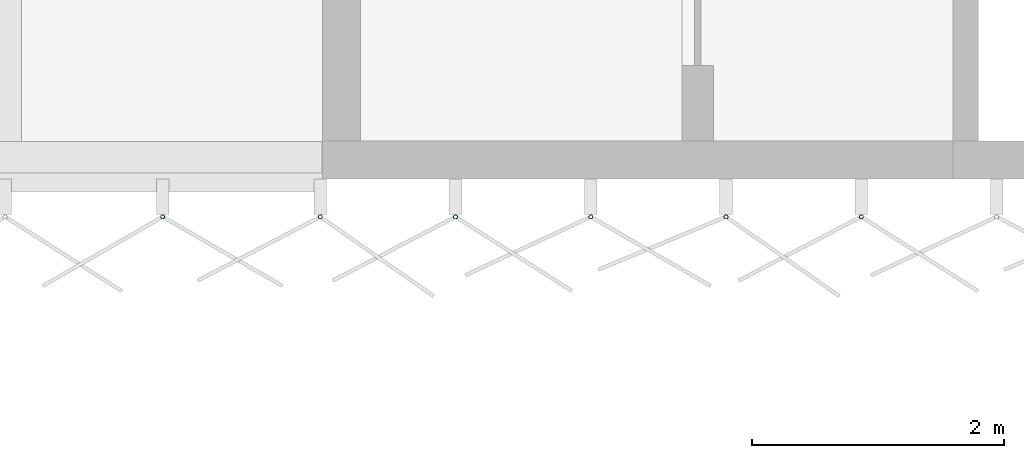
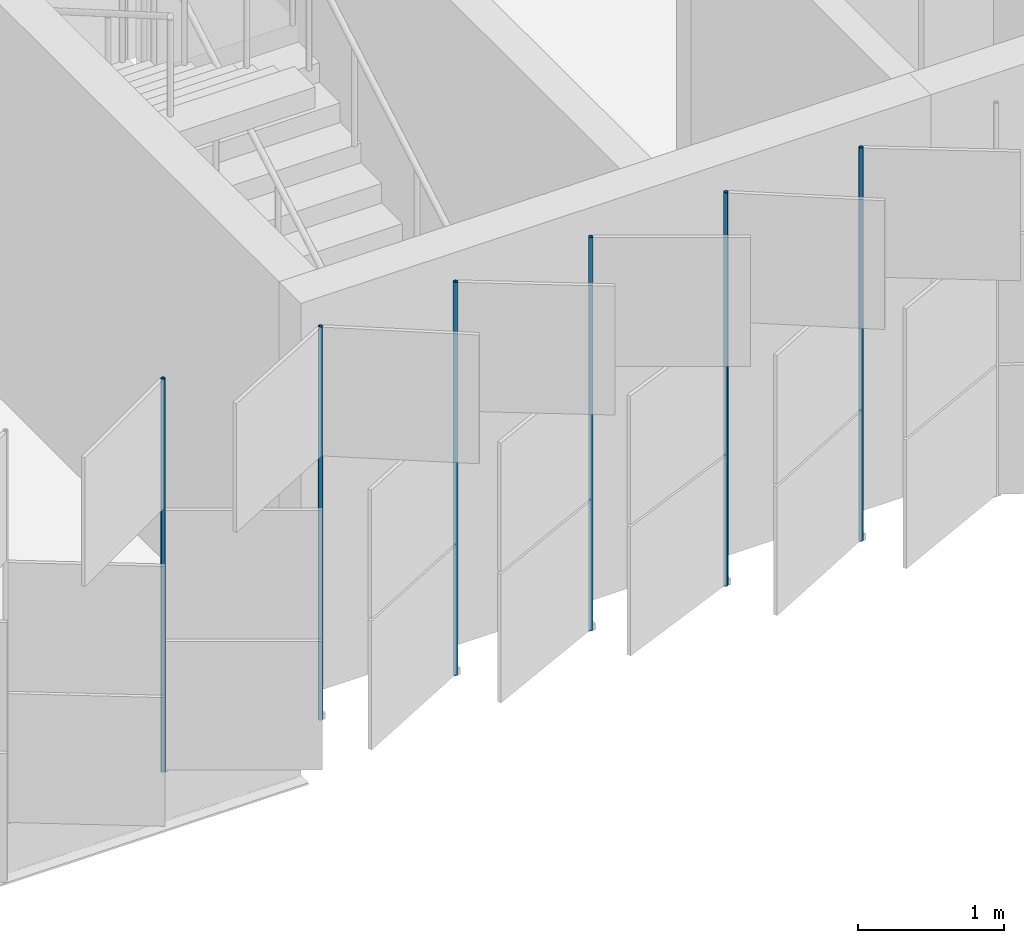
# One storey, part 73 of 198: 6 discrete accessories.
"""IFC4 building model written with IfcOpenShell, lengths in metres."""

from ifc_helpers import new_model, si_unit, direction, frame, origin, origin_2d, place, context, subcontext, project, spatial, hollow_circle, extrude, material, material_profile, profile_set, type_object, element, save


model = new_model("IFC4")

# Units and contexts
model_context = context("Model", 3, precision=1e-05, world=origin(), true_north=direction((0.0, 1.0)))
body_context = subcontext(model_context, "Body", "Model", "MODEL_VIEW")
ifc_project = project(units=[si_unit("LENGTHUNIT", "METRE"), si_unit("AREAUNIT", "SQUARE_METRE"), si_unit("VOLUMEUNIT", "CUBIC_METRE"), si_unit("PLANEANGLEUNIT", "RADIAN"), si_unit("MASSUNIT", "GRAM", prefix="KILO")], contexts=[model_context])

# Site, building, storey
site_placement = place(None, origin())
site = spatial("IfcSite", under=ifc_project, at=site_placement, CompositionType="ELEMENT")
building_placement = place(site_placement, origin())
building = spatial("IfcBuilding", under=site, at=building_placement, Name="Parallax Yard Mobility Hub", CompositionType="ELEMENT")
storey_placement = place(building_placement, frame((0.0, 0.0, 6.60009765625)))
storey = spatial("IfcBuildingStorey", under=building, at=storey_placement, Name="L02", CompositionType="ELEMENT", Elevation=6.60009765625)

# Discrete accessories
ifc_material = material(Name="Steel ASTM A500 Gr C, hot-dip galvanised", Category="steel")
ifc_material_profile = material_profile(ifc_material, hollow_circle(Radius=0.016845703125, WallThickness=0.003173828125, at=origin_2d()), Name="CHS 33.7x3.2")
ifc_profile_set = profile_set([ifc_material_profile], Name="Steel ASTM A500 Gr C, hot-dip galvanised")
discrete_accessory_type = type_object("IfcDiscreteAccessoryType", Name="Hinge post CHS 33.7x3.2", PredefinedType="BRACKET", material=ifc_profile_set)
for number, where, z_axis, x_axis, name in (
    (1, (66.233642578125, 112.199951171875, 0.0), (0.0, 0.0, 1.0), (1.0, 0.0, 0.0), "Hinge post bay 5.6 level L02"),
    (2, (67.48291015625, 112.199951171875, 0.0), (0.0, 0.0, 1.0), (1.0, 0.0, 0.0), "Hinge post bay 6.1 level L02"),
    (3, (68.55517578125, 112.199951171875, 0.0), (0.0, 0.0, 1.0), (1.0, 0.0, 0.0), "Hinge post bay 6.2 level L02"),
    (4, (69.627197265625, 112.199951171875, 0.0), (0.0, 0.0, 1.0), (1.0, 0.0, 0.0), "Hinge post bay 6.3 level L02"),
    (5, (70.699462890625, 112.199951171875, 0.0), (0.0, 0.0, 1.0), (1.0, 0.0, 0.0), "Hinge post bay 6.4 level L02"),
    (6, (71.771728515625, 112.199951171875, 0.0), (0.0, 0.0, 1.0), (1.0, 0.0, 0.0), "Hinge post bay 6.5 level L02"),
):
    element("IfcDiscreteAccessory", number, at=place(storey_placement, frame(where, z_axis=z_axis, x_axis=x_axis)), inside=storey, type_object=discrete_accessory_type, Name=name, PredefinedType="BRACKET", context=body_context, shape_type="SweptSolid", body=[
        extrude(hollow_circle(Radius=0.016845703125, WallThickness=0.003173828125, at=origin_2d()), origin(), (0.0, 0.0, 1.0), 3.2998046875),
    ])

save(model, "model.ifc")
